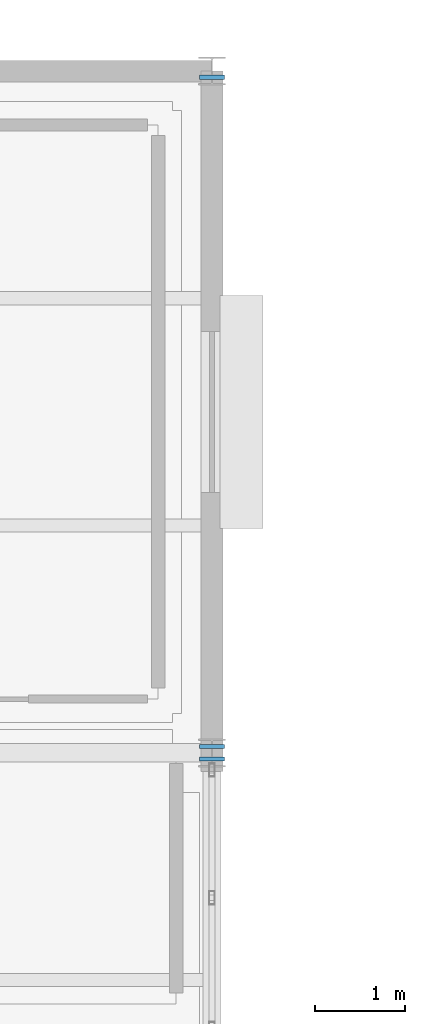
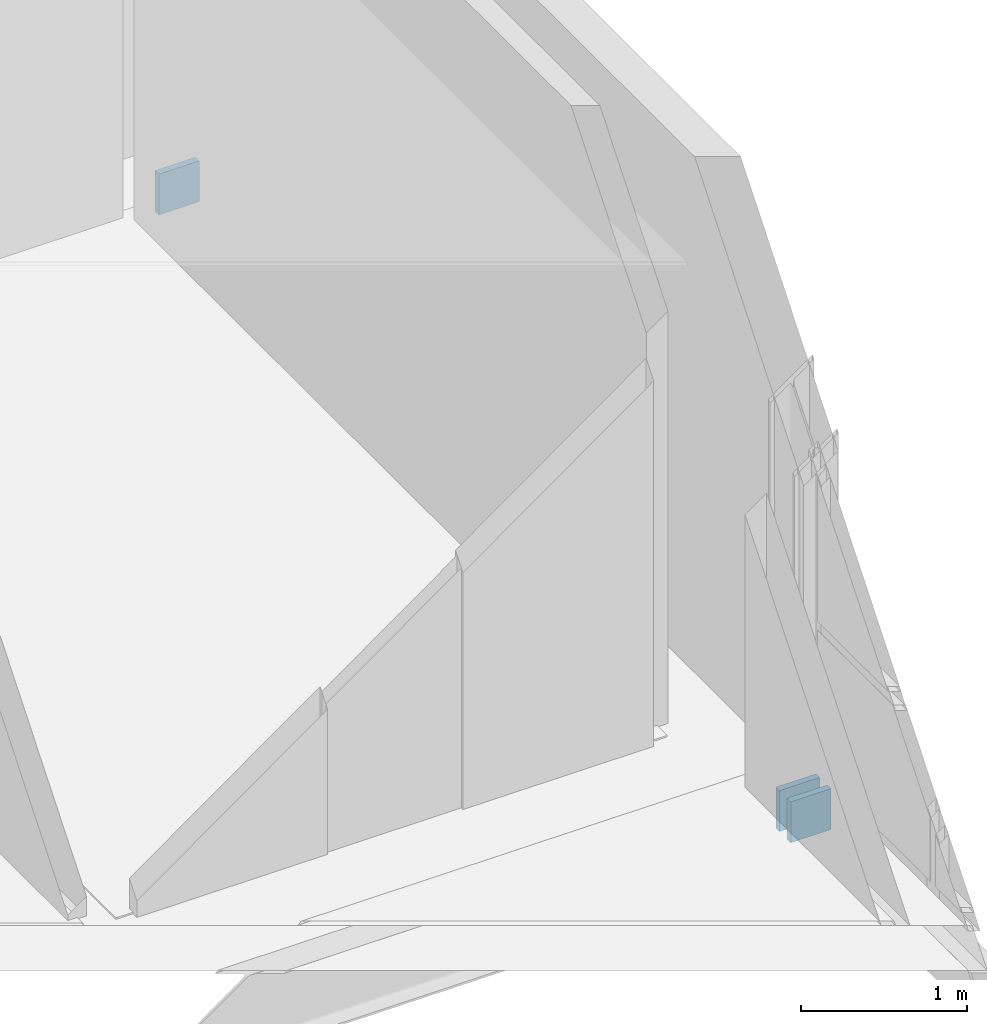
# One storey, part 149 of 166: 3 plates.
"""IFC4 building model written with IfcOpenShell, lengths in metres."""

from ifc_helpers import new_model, si_unit, direction, frame, origin, origin_2d, place, context, subcontext, project, spatial, rectangle, extrude, material, layer, layer_set, type_object, element, save


model = new_model("IFC4")

# Units and contexts
model_context = context("Model", 3, precision=1e-05, world=origin(), true_north=direction((0.0, 1.0)))
body_context = subcontext(model_context, "Body", "Model", "MODEL_VIEW")
ifc_project = project(units=[si_unit("LENGTHUNIT", "METRE"), si_unit("AREAUNIT", "SQUARE_METRE"), si_unit("VOLUMEUNIT", "CUBIC_METRE"), si_unit("PLANEANGLEUNIT", "RADIAN"), si_unit("MASSUNIT", "GRAM", prefix="KILO")], contexts=[model_context])

# Site, building, storey
site_placement = place(None, origin())
site = spatial("IfcSite", under=ifc_project, at=site_placement, CompositionType="ELEMENT")
building_placement = place(site_placement, origin())
building = spatial("IfcBuilding", under=site, at=building_placement, Name="Caisbarro Railhouse Central Library", CompositionType="ELEMENT")
storey_placement = place(building_placement, frame((0.0, 0.0, 9.360107421875)))
storey = spatial("IfcBuildingStorey", under=building, at=storey_placement, Name="L02", CompositionType="ELEMENT", Elevation=9.360107421875)

# Plates
ifc_material = material(Name="Steel ASTM A572 Grade 50", Category="steel")
ifc_layer = layer(ifc_material, 0.044921875, Name="Steel ASTM A572 Grade 50")
ifc_layer_set = layer_set([ifc_layer], Name="Steel ASTM A572 Grade 50")
plate_type = type_object("IfcPlateType", Name="PLT-EP01", PredefinedType="SHEET", material=ifc_layer_set)
for number, where, z_axis, x_axis, name in (
    (1, (153.0, 106.33203125, -0.52001953125), (0.0, 0.0, 1.0), (0.0, 1.0, 0.0), "EP01 end cap plate"),
    (2, (153.0, 106.468017578125, -0.52001953125), (0.0, 0.0, 1.0), (0.0, 1.0, 0.0), "EP01 end cap plate"),
    (3, (153.0, 113.931884765625, -0.52001953125), (0.0, 0.0, 1.0), (0.0, 1.0, 0.0), "EP01 end cap plate"),
):
    element("IfcPlate", number, at=place(storey_placement, frame(where, z_axis=z_axis, x_axis=x_axis)), inside=storey, type_object=plate_type, Name=name, PredefinedType="SHEET", context=body_context, shape_type="SweptSolid", body=[
        extrude(rectangle(XDim=0.044921875, YDim=0.280029296875, at=origin_2d()), origin(), (0.0, 0.0, 1.0), 0.300048828125),
    ])

save(model, "model.ifc")
